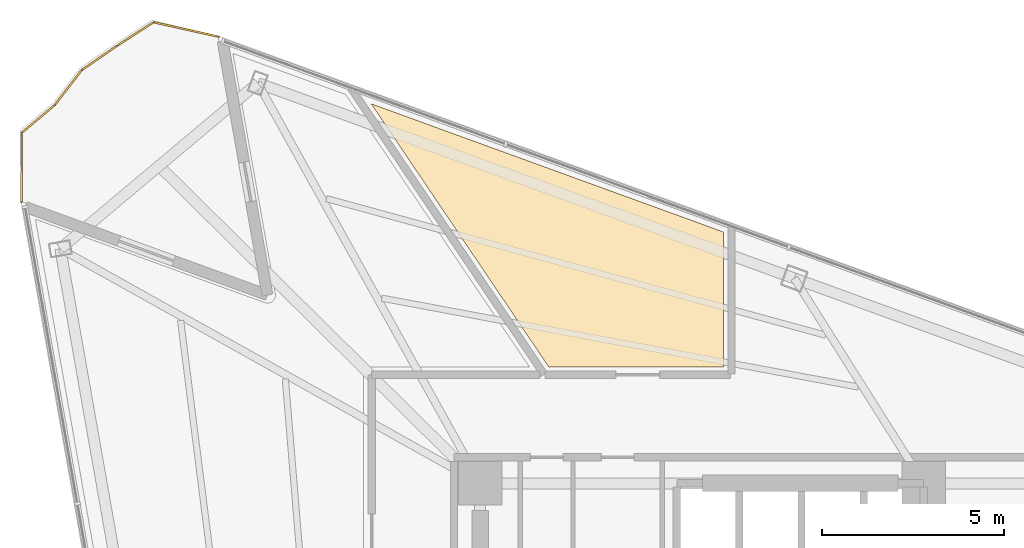
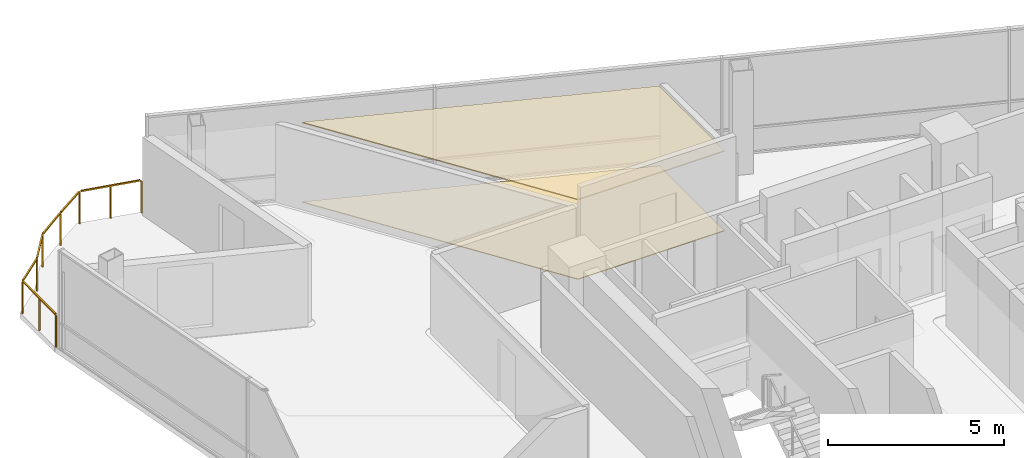
# One storey, part 16 of 16: 2 coverings, 1 railing.
"""IFC4 building model written with IfcOpenShell, lengths in metres."""

import ifcopenshell
import ifcopenshell.guid

model = None  # the IFC model being written
_history = None  # IfcOwnerHistory: only IFC2X3 demands one
_inside = {}  # id of a spatial element -> (the spatial element, [elements in it])
_under = {}  # id of a project, library or spatial element -> (it, [spatial elements below it])
_declared = {}  # id of a project -> (the project, [libraries it declares])
_typed = {}  # id of a type object -> (the type object, [elements of that type])
_made_of = {}  # id of a material, layer set ... -> (it, [elements and type objects made of it])


def new_model(schema):
    """Start an empty IFC model of exactly this schema.

    Asked for "IFC4X3", IfcOpenShell would pick the latest addendum, in which some entities
    have other attributes; the version numbers below select the first issue.
    IFC2X3 requires an IfcOwnerHistory on every rooted entity: one is made here for all.
    """
    global model, _history
    if schema == "IFC4X3":
        model = ifcopenshell.file(schema_version=(4, 3, 0, 0))
    else:
        model = ifcopenshell.file(schema=schema)
    _inside.clear()
    _under.clear()
    _declared.clear()
    _typed.clear()
    _made_of.clear()
    _history = None
    if model.schema == "IFC2X3":
        org = make("IfcOrganization", Name="unknown")
        user = make(
            "IfcPersonAndOrganization",
            ThePerson=make("IfcPerson", FamilyName="unknown"),
            TheOrganization=org,
        )
        app = make(
            "IfcApplication",
            ApplicationDeveloper=org,
            Version="unknown",
            ApplicationFullName="unknown",
            ApplicationIdentifier="unknown",
        )
        _history = make(
            "IfcOwnerHistory",
            OwningUser=user,
            OwningApplication=app,
            ChangeAction="ADDED",
            CreationDate=0,
        )
    return model


def make(cls, **values):
    """One entity of the class cls with the attributes given. An attribute that is None is left unset."""
    return model.create_entity(
        cls, **{name: value for name, value in values.items() if value is not None}
    )


def rooted(cls, **values):
    """An entity with a GlobalId (a new one), such as an element, a storey or a relation."""
    return make(cls, GlobalId=ifcopenshell.guid.new(), OwnerHistory=_history, **values)


def si_unit(unit_type, name, prefix=None):
    """IfcSIUnit, for example si_unit("LENGTHUNIT", "METRE", prefix="MILLI")."""
    return make("IfcSIUnit", UnitType=unit_type, Prefix=prefix, Name=name)


def assignment(units):
    """IfcUnitAssignment: the units of a project."""
    return None if units is None else make("IfcUnitAssignment", Units=units)


def point(xyz):
    """IfcCartesianPoint."""
    return None if xyz is None else make("IfcCartesianPoint", Coordinates=xyz)


def direction(xyz):
    """IfcDirection."""
    return None if xyz is None else make("IfcDirection", DirectionRatios=xyz)


def frame(location, z_axis=None, x_axis=None):
    """IfcAxis2Placement3D, a coordinate frame: its origin and axes. An axis left out is left unset."""
    return make(
        "IfcAxis2Placement3D",
        Location=point(location),
        Axis=direction(z_axis),
        RefDirection=direction(x_axis),
    )


def frame_2d(location, x_axis=None):
    """IfcAxis2Placement2D, a coordinate frame in the plane: its origin and x axis."""
    return make(
        "IfcAxis2Placement2D", Location=point(location), RefDirection=direction(x_axis)
    )


def origin():
    """The frame at (0, 0, 0) with its axes left unset."""
    return frame((0.0, 0.0, 0.0))


def origin_2d():
    """The frame at (0, 0) in the plane with its x axis left unset."""
    return frame_2d((0.0, 0.0))


def place(relative_to, where):
    """IfcLocalPlacement: puts the frame where relative to a parent placement (None: the world)."""
    return make(
        "IfcLocalPlacement", PlacementRelTo=relative_to, RelativePlacement=where
    )


def context(
    kind, dimensions, precision=None, world=None, true_north=None, identifier=None
):
    """IfcGeometricRepresentationContext, for example the 3D "Model" context."""
    return make(
        "IfcGeometricRepresentationContext",
        ContextIdentifier=identifier,
        ContextType=kind,
        CoordinateSpaceDimension=dimensions,
        Precision=precision,
        WorldCoordinateSystem=world,
        TrueNorth=true_north,
    )


def subcontext(parent, identifier, kind, view, scale=None):
    """IfcGeometricRepresentationSubContext, for example "Body" below "Model"."""
    return make(
        "IfcGeometricRepresentationSubContext",
        ContextIdentifier=identifier,
        ContextType=kind,
        ParentContext=parent,
        TargetScale=scale,
        TargetView=view,
    )


def project(units=None, contexts=None):
    """IfcProject with its units and contexts."""
    return rooted(
        "IfcProject",
        Name="project",
        RepresentationContexts=contexts,
        UnitsInContext=assignment(units),
    )


def spatial(cls, under=None, at=None, **own):
    """A site, building, storey or space (cls), placed at a placement, below another one or the project."""
    s = rooted(cls, ObjectPlacement=at, **own)
    if under is not None:
        _under.setdefault(under.id(), (under, []))[1].append(s)
    return s


def polyline(points):
    """IfcPolyline through the points."""
    return make("IfcPolyline", Points=[point(p) for p in points])


def profile(cls, at=None, kind="AREA", **sizes):
    """A parametric profile (cls). Its sizes go by their IFC names, for example OverallWidth=200.0."""
    return make(cls, ProfileType=kind, Position=at, **sizes)


def rectangle(**sizes):
    """IfcRectangleProfileDef."""
    return profile("IfcRectangleProfileDef", **sizes)


def outline(outer, holes=None, kind="AREA"):
    """IfcArbitraryClosedProfileDef: a profile drawn as a closed curve; with holes, ...WithVoids."""
    if holes is None:
        return make("IfcArbitraryClosedProfileDef", ProfileType=kind, OuterCurve=outer)
    return make(
        "IfcArbitraryProfileDefWithVoids",
        ProfileType=kind,
        OuterCurve=outer,
        InnerCurves=holes,
    )


def extrude(swept, where, along, depth):
    """IfcExtrudedAreaSolid: the profile swept, set in the frame where, extruded along a direction by depth."""
    return make(
        "IfcExtrudedAreaSolid",
        SweptArea=swept,
        Position=where,
        ExtrudedDirection=direction(along),
        Depth=depth,
    )


def shape(context_of_items, identifier, shape_type, items):
    """IfcShapeRepresentation: the items that make up one representation, for example the "Body"."""
    return make(
        "IfcShapeRepresentation",
        ContextOfItems=context_of_items,
        RepresentationIdentifier=identifier,
        RepresentationType=shape_type,
        Items=items,
    )


def material(Name=None, Category=None):
    """IfcMaterial."""
    return make("IfcMaterial", Name=Name, Category=Category)


def layer(
    of_material, thickness, ventilated=None, Name=None, Category=None, Priority=None
):
    """IfcMaterialLayer: one layer of a wall or slab, of a material (None: an air gap)."""
    return make(
        "IfcMaterialLayer",
        Material=of_material,
        LayerThickness=thickness,
        IsVentilated=ventilated,
        Name=Name,
        Category=Category,
        Priority=Priority,
    )


def layer_set(layers, Name=None):
    """IfcMaterialLayerSet."""
    return make("IfcMaterialLayerSet", MaterialLayers=layers, LayerSetName=Name)


def made_of(thing, what):
    """Note that an element or type object is made of a material, layer set ...; save() writes the relation."""
    if what is not None:
        _made_of.setdefault(what.id(), (what, []))[1].append(thing)
    return thing


def type_object(cls, material=None, **own):
    """A type object (cls), such as IfcWallType, which elements share."""
    return made_of(rooted(cls, **own), material)


def element(
    cls,
    number,
    at=None,
    inside=None,
    cuts=None,
    type_object=None,
    material=None,
    context=None,
    identifier="Body",
    shape_type=None,
    held_by="IfcProductDefinitionShape",
    body=None,
    shapes=None,
    **own,
):
    """One element of the class cls, such as IfcWall. Its Tag is "e" and its number.

    at: its placement. inside: the storey or other place that contains it. cuts: it is an
    opening in that element (IfcRelVoidsElement). A single representation is given by context,
    identifier, shape_type and body (its items); several are given by shapes. held_by: the class
    of the entity that holds the representations. save() writes the other relations.
    """
    e = rooted(cls, Tag="e%d" % number, ObjectPlacement=at, **own)
    if body is not None:
        shapes = [shape(context, identifier, shape_type, body)]
    if shapes is not None:
        e.Representation = make(held_by, Representations=shapes)
    if inside is not None:
        _inside.setdefault(inside.id(), (inside, []))[1].append(e)
    if cuts is not None:
        rooted(
            "IfcRelVoidsElement", RelatingBuildingElement=cuts, RelatedOpeningElement=e
        )
    if type_object is not None:
        _typed.setdefault(type_object.id(), (type_object, []))[1].append(e)
    return made_of(e, material)


def aggregate(whole, parts):
    """IfcRelAggregates: a whole, such as a stair, and the parts it consists of."""
    return rooted("IfcRelAggregates", RelatingObject=whole, RelatedObjects=parts)


def save(model, path):
    """Write the relations noted so far, then the file.

    IfcRelAggregates (storeys below a building ...), IfcRelContainedInSpatialStructure (elements
    in a storey), IfcRelDefinesByType, IfcRelAssociatesMaterial and IfcRelDeclares: one each for
    every whole, place, type object, material and project.
    """
    for whole, parts in _under.values():
        aggregate(whole, parts)
    for where, things in _inside.values():
        rooted(
            "IfcRelContainedInSpatialStructure",
            RelatedElements=things,
            RelatingStructure=where,
        )
    for kind, things in _typed.values():
        rooted("IfcRelDefinesByType", RelatedObjects=things, RelatingType=kind)
    for what, things in _made_of.values():
        rooted("IfcRelAssociatesMaterial", RelatedObjects=things, RelatingMaterial=what)
    for by, libraries in _declared.values():
        rooted("IfcRelDeclares", RelatingContext=by, RelatedDefinitions=libraries)
    model.write(path)


model = new_model("IFC4")

# Units and contexts
model_context = context("Model", 3, precision=1e-05, world=origin(), true_north=direction((0.0, 1.0)))
body_context = subcontext(model_context, "Body", "Model", "MODEL_VIEW")
ifc_project = project(units=[si_unit("LENGTHUNIT", "METRE"), si_unit("AREAUNIT", "SQUARE_METRE"), si_unit("VOLUMEUNIT", "CUBIC_METRE"), si_unit("PLANEANGLEUNIT", "RADIAN"), si_unit("MASSUNIT", "GRAM", prefix="KILO")], contexts=[model_context])

# Site, building, storey
site_placement = place(None, origin())
site = spatial("IfcSite", under=ifc_project, at=site_placement, CompositionType="ELEMENT")
building_placement = place(site_placement, origin())
building = spatial("IfcBuilding", under=site, at=building_placement, Name="Tharavind Bronze Gate", CompositionType="ELEMENT")
storey_placement = place(building_placement, frame((0.0, 0.0, 188.5)))
storey = spatial("IfcBuildingStorey", under=building, at=storey_placement, Name="L48", CompositionType="ELEMENT", Elevation=188.5)

# Coverings
ifc_material_1 = material(Name="Perforated Bronze Acoustic Panel", Category="bronze")
ifc_layer_1 = layer(ifc_material_1, 0.044921875)
ifc_layer_set_1 = layer_set([ifc_layer_1], Name="Perforated Bronze Acoustic Panel")
covering_type_1 = type_object("IfcCoveringType", Name="ACOUSTIC BRONZE BAFFLE CEILING", PredefinedType="CEILING", material=ifc_layer_set_1)
covering_1_placement = place(storey_placement, frame((0.0, 0.0, 2.75)))
element("IfcCovering", 1, at=covering_1_placement, inside=storey, type_object=covering_type_1, Name="L48-RM-02 suspended ceiling", PredefinedType="CEILING", context=body_context, shape_type="SweptSolid", body=[
    extrude(outline(polyline([(-7.019287109375, 10.800048828125), (-2.219970703125, 10.800048828125), (-2.219970703125, 14.50341796875), (-11.891845703125, 18.023681640625), (-7.019287109375, 10.800048828125)])), origin(), (0.0, 0.0, 1.0), 0.034912109375),
])
ifc_material_2 = material(Name="Engineered Oak & Carpet Tile", Category="wood")
ifc_layer_2 = layer(ifc_material_2, 0.02490234375)
ifc_layer_set_2 = layer_set([ifc_layer_2], Name="Engineered Oak & Carpet Tile")
covering_type_2 = type_object("IfcCoveringType", Name="ENGINEERED TIMBER FLOORING", PredefinedType="FLOORING", material=ifc_layer_set_2)
covering_2_placement = place(storey_placement, origin())
element("IfcCovering", 2, at=covering_2_placement, inside=storey, type_object=covering_type_2, Name="L48-RM-02 floor finish", PredefinedType="FLOORING", context=body_context, shape_type="SweptSolid", body=[
    extrude(outline(polyline([(-7.019287109375, 10.800048828125), (-2.219970703125, 10.800048828125), (-2.219970703125, 14.50341796875), (-11.891845703125, 18.023681640625), (-7.019287109375, 10.800048828125)])), origin(), (0.0, 0.0, 1.0), 0.02490234375),
])

# Railing
ifc_material_3 = material(Name="Bronze Cap & Laminated Glass", Category="glass")
railing_type = type_object("IfcRailingType", Name="TERRACE GLASS GUARD RAILING 1150", PredefinedType="GUARDRAIL", material=ifc_material_3)
railing_placement = place(storey_placement, frame((-21.49951171875, 15.31494140625, 0.0)))
element("IfcRailing", 3, at=railing_placement, inside=storey, type_object=railing_type, Name="L48 tree balcony guard railing", PredefinedType="GUARDRAIL", context=body_context, shape_type="SweptSolid", body=[
    extrude(rectangle(XDim=0.048095703125, YDim=0.048095703125, at=origin_2d()), frame((0.000244140625, 0.031982421875, 1.1259765625), z_axis=(0.006244302881, 0.999980504151, 0.0), x_axis=(-0.999980504151, 0.006244302881, 0.0)), (0.0, 0.0, 1.0), 1.851806640625),
    extrude(rectangle(XDim=0.048095703125, YDim=0.048095703125, at=origin_2d()), frame((0.036376953125, 1.936279296875, 1.1259765625), z_axis=(0.765977892633, 0.642866913131, 0.0), x_axis=(-0.642866913131, 0.765977892633, 0.0)), (0.0, 0.0, 1.0), 1.115966796875),
    extrude(rectangle(XDim=0.048095703125, YDim=0.048095703125, at=origin_2d()), frame((0.935302734375, 2.69970703125, 1.1259765625), z_axis=(0.609749815727, 0.79259394536, 0.0), x_axis=(-0.79259394536, 0.609749815727, 0.0)), (0.0, 0.0, 1.0), 1.144287109375),
    extrude(rectangle(XDim=0.048095703125, YDim=0.048095703125, at=origin_2d()), frame((1.678955078125, 3.650146484375, 1.1259765625), z_axis=(0.823524708497, 0.567280402001, 0.0), x_axis=(-0.567280402001, 0.823524708497, 0.0)), (0.0, 0.0, 1.0), 1.121337890625),
    extrude(rectangle(XDim=0.048095703125, YDim=0.048095703125, at=origin_2d()), frame((2.655517578125, 4.32177734375, 1.1259765625), z_axis=(0.840015987987, 0.5425616462, 0.0), x_axis=(-0.5425616462, 0.840015987987, 0.0)), (0.0, 0.0, 1.0), 1.125244140625),
    extrude(rectangle(XDim=0.048095703125, YDim=0.048095703125, at=origin_2d()), frame((3.658935546875, 4.94287109375, 1.1259765625), z_axis=(0.976205791901, -0.216846147902, 0.0), x_axis=(0.216846147902, 0.976205791901, 0.0)), (0.0, 0.0, 1.0), 1.775634765625),
    extrude(rectangle(XDim=0.0400390625, YDim=0.0400390625, at=origin_2d()), origin(), (0.0, 0.0, 1.0), 1.097900390625),
    extrude(rectangle(XDim=0.0400390625, YDim=0.0400390625, at=origin_2d()), frame((0.005859375, 0.9580078125, 0.0)), (0.0, 0.0, 1.0), 1.097900390625),
    extrude(rectangle(XDim=0.0400390625, YDim=0.0400390625, at=origin_2d()), frame((0.011962890625, 1.915771484375, 0.0)), (0.0, 0.0, 1.0), 1.097900390625),
    extrude(rectangle(XDim=0.0400390625, YDim=0.0400390625, at=origin_2d()), frame((0.915771484375, 2.67431640625, 0.0)), (0.0, 0.0, 1.0), 1.097900390625),
    extrude(rectangle(XDim=0.0400390625, YDim=0.0400390625, at=origin_2d()), frame((1.652587890625, 3.632080078125, 0.0)), (0.0, 0.0, 1.0), 1.097900390625),
    extrude(rectangle(XDim=0.0400390625, YDim=0.0400390625, at=origin_2d()), frame((2.628662109375, 4.304443359375, 0.0)), (0.0, 0.0, 1.0), 1.097900390625),
    extrude(rectangle(XDim=0.0400390625, YDim=0.0400390625, at=origin_2d()), frame((3.627685546875, 4.94970703125, 0.0)), (0.0, 0.0, 1.0), 1.097900390625),
    extrude(rectangle(XDim=0.0400390625, YDim=0.0400390625, at=origin_2d()), frame((4.525634765625, 4.750244140625, 0.0)), (0.0, 0.0, 1.0), 1.097900390625),
    extrude(rectangle(XDim=0.0400390625, YDim=0.0400390625, at=origin_2d()), frame((5.423583984375, 4.55078125, 0.0)), (0.0, 0.0, 1.0), 1.097900390625),
])

save(model, "model.ifc")
